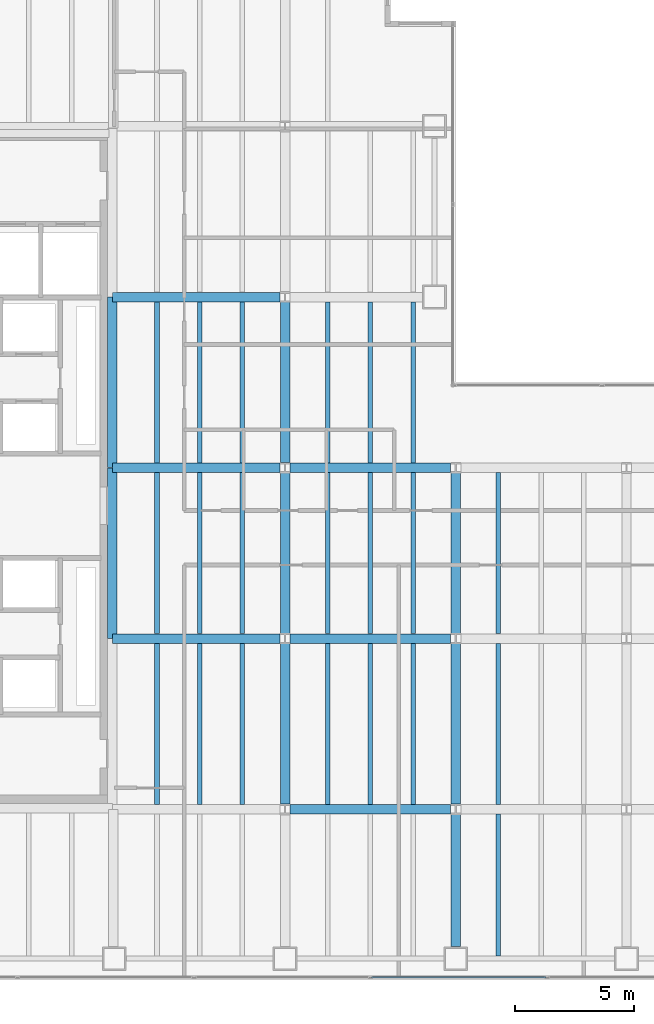
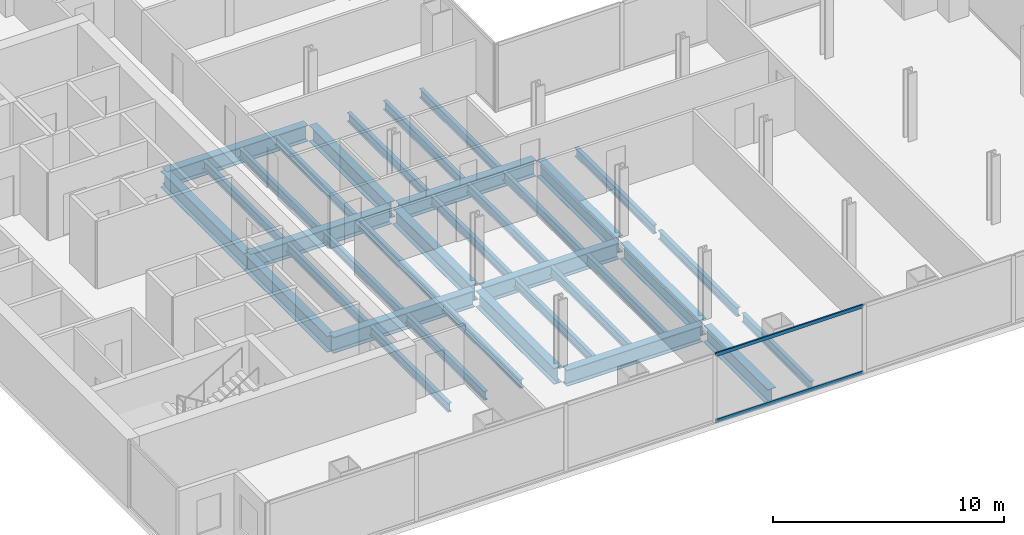
# One storey, part 5 of 23: 35 beams, 2 members, 1 element without a shape of its own.
"""IFC4 building model written with IfcOpenShell, lengths in metres."""

from ifc_helpers import new_model, si_unit, direction, frame, origin, origin_2d, place, context, subcontext, project, spatial, hollow_rectangle, i_section, extrude, material, material_profile, profile_set, type_object, element, aggregate, save


model = new_model("IFC4")

# Units and contexts
model_context = context("Model", 3, precision=1e-05, world=origin(), true_north=direction((0.0, 1.0)))
body_context = subcontext(model_context, "Body", "Model", "MODEL_VIEW")
ifc_project = project(units=[si_unit("LENGTHUNIT", "METRE"), si_unit("AREAUNIT", "SQUARE_METRE"), si_unit("VOLUMEUNIT", "CUBIC_METRE"), si_unit("PLANEANGLEUNIT", "RADIAN"), si_unit("MASSUNIT", "GRAM", prefix="KILO")], contexts=[model_context])

# Site, building, storey
site_placement = place(None, origin())
site = spatial("IfcSite", under=ifc_project, at=site_placement, CompositionType="ELEMENT")
building_placement = place(site_placement, origin())
building = spatial("IfcBuilding", under=site, at=building_placement, Name="Cobrela Telecom Tower", CompositionType="ELEMENT")
storey_placement = place(building_placement, frame((0.0, 0.0, 73.5)))
storey = spatial("IfcBuildingStorey", under=building, at=storey_placement, Name="L18", CompositionType="ELEMENT", Elevation=73.5)

# Beams
ifc_material_1 = material(Name="Steel ASTM A992 Grade 50", Category="steel")
ifc_material_profile_1 = material_profile(ifc_material_1, i_section(OverallWidth=0.39892578125, OverallDepth=0.85595703125, WebThickness=0.018310546875, FlangeThickness=0.029296875, FilletRadius=0.02001953125, at=origin_2d()), Name="W33X201")
ifc_profile_set_1 = profile_set([ifc_material_profile_1], Name="Steel ASTM A992 Grade 50")
beam_type_1 = type_object("IfcBeamType", Name="BM-GIRD-03", PredefinedType="USERDEFINED", material=ifc_profile_set_1)
beam_1_placement = place(storey_placement, frame((21.81591796875, 7.199951171875, -0.7080078125), z_axis=(1.0, 0.0, 0.0), x_axis=(0.0, 1.0, 0.0)))
element("IfcBeam", 1, at=beam_1_placement, inside=storey, type_object=beam_type_1, Name="L18 Primary Girder X09", ObjectType="GIRDER", PredefinedType="USERDEFINED", context=body_context, shape_type="SweptSolid", body=[
    extrude(i_section(OverallWidth=0.39892578125, OverallDepth=0.85595703125, WebThickness=0.018310546875, FlangeThickness=0.029296875, FilletRadius=0.02001953125, at=origin_2d()), origin(), (0.0, 0.0, 1.0), 6.76806640625),
])
beam_2_placement = place(storey_placement, frame((14.324951171875, 14.39990234375, -0.7080078125), z_axis=(1.0, 0.0, 0.0), x_axis=(0.0, 1.0, 0.0)))
element("IfcBeam", 2, at=beam_2_placement, inside=storey, type_object=beam_type_1, Name="L18 Primary Girder X13", ObjectType="GIRDER", PredefinedType="USERDEFINED", context=body_context, shape_type="SweptSolid", body=[
    extrude(i_section(OverallWidth=0.39892578125, OverallDepth=0.85595703125, WebThickness=0.018310546875, FlangeThickness=0.029296875, FilletRadius=0.02001953125, at=origin_2d()), origin(), (0.0, 0.0, 1.0), 7.05908203125),
])
beam_3_placement = place(storey_placement, frame((21.81591796875, 14.39990234375, -0.7080078125), z_axis=(1.0, 0.0, 0.0), x_axis=(0.0, 1.0, 0.0)))
element("IfcBeam", 3, at=beam_3_placement, inside=storey, type_object=beam_type_1, Name="L18 Primary Girder X14", ObjectType="GIRDER", PredefinedType="USERDEFINED", context=body_context, shape_type="SweptSolid", body=[
    extrude(i_section(OverallWidth=0.39892578125, OverallDepth=0.85595703125, WebThickness=0.018310546875, FlangeThickness=0.029296875, FilletRadius=0.02001953125, at=origin_2d()), origin(), (0.0, 0.0, 1.0), 6.76806640625),
])
beam_4_placement = place(storey_placement, frame((14.324951171875, 21.60009765625, -0.7080078125), z_axis=(1.0, 0.0, 0.0), x_axis=(0.0, 1.0, 0.0)))
element("IfcBeam", 4, at=beam_4_placement, inside=storey, type_object=beam_type_1, Name="L18 Primary Girder X18", ObjectType="GIRDER", PredefinedType="USERDEFINED", context=body_context, shape_type="SweptSolid", body=[
    extrude(i_section(OverallWidth=0.39892578125, OverallDepth=0.85595703125, WebThickness=0.018310546875, FlangeThickness=0.029296875, FilletRadius=0.02001953125, at=origin_2d()), origin(), (0.0, 0.0, 1.0), 7.05908203125),
])
beam_5_placement = place(storey_placement, frame((21.81591796875, 21.60009765625, -0.7080078125), z_axis=(1.0, 0.0, 0.0), x_axis=(0.0, 1.0, 0.0)))
element("IfcBeam", 5, at=beam_5_placement, inside=storey, type_object=beam_type_1, Name="L18 Primary Girder X19", ObjectType="GIRDER", PredefinedType="USERDEFINED", context=body_context, shape_type="SweptSolid", body=[
    extrude(i_section(OverallWidth=0.39892578125, OverallDepth=0.85595703125, WebThickness=0.018310546875, FlangeThickness=0.029296875, FilletRadius=0.02001953125, at=origin_2d()), origin(), (0.0, 0.0, 1.0), 6.76806640625),
])
beam_6_placement = place(storey_placement, frame((14.324951171875, 28.800048828125, -0.7080078125), z_axis=(1.0, 0.0, 0.0), x_axis=(0.0, 1.0, 0.0)))
element("IfcBeam", 6, at=beam_6_placement, inside=storey, type_object=beam_type_1, Name="L18 Primary Girder X23", ObjectType="GIRDER", PredefinedType="USERDEFINED", context=body_context, shape_type="SweptSolid", body=[
    extrude(i_section(OverallWidth=0.39892578125, OverallDepth=0.85595703125, WebThickness=0.018310546875, FlangeThickness=0.029296875, FilletRadius=0.02001953125, at=origin_2d()), origin(), (0.0, 0.0, 1.0), 7.05908203125),
])
for number, where, z_axis, x_axis, name in (
    (7, (14.320068359375, 14.405029296875, -0.7080078125), (0.0, 1.0, 0.0), (-1.0, 0.0, 0.0), "L18 Primary Girder Y36"),
    (8, (14.320068359375, 21.60498046875, -0.7080078125), (0.0, 1.0, 0.0), (-1.0, 0.0, 0.0), "L18 Primary Girder Y37"),
):
    element("IfcBeam", number, at=place(storey_placement, frame(where, z_axis=z_axis, x_axis=x_axis)), inside=storey, type_object=beam_type_1, Name=name, ObjectType="GIRDER", PredefinedType="USERDEFINED", context=body_context, shape_type="SweptSolid", body=[
        extrude(i_section(OverallWidth=0.39892578125, OverallDepth=0.85595703125, WebThickness=0.018310546875, FlangeThickness=0.029296875, FilletRadius=0.02001953125, at=origin_2d()), origin(), (0.0, 0.0, 1.0), 7.18994140625),
    ])
for number, where, z_axis, x_axis, name in (
    (9, (21.60009765625, 7.416015625, -0.7080078125), (0.0, 1.0, 0.0), (-1.0, 0.0, 0.0), "L18 Primary Girder Y41"),
    (10, (21.60009765625, 14.615966796875, -0.7080078125), (0.0, 1.0, 0.0), (-1.0, 0.0, 0.0), "L18 Primary Girder Y42"),
    (11, (21.60009765625, 21.81591796875, -0.7080078125), (0.0, 1.0, 0.0), (-1.0, 0.0, 0.0), "L18 Primary Girder Y43"),
):
    element("IfcBeam", number, at=place(storey_placement, frame(where, z_axis=z_axis, x_axis=x_axis)), inside=storey, type_object=beam_type_1, Name=name, ObjectType="GIRDER", PredefinedType="USERDEFINED", context=body_context, shape_type="SweptSolid", body=[
        extrude(i_section(OverallWidth=0.39892578125, OverallDepth=0.85595703125, WebThickness=0.018310546875, FlangeThickness=0.029296875, FilletRadius=0.02001953125, at=origin_2d()), origin(), (0.0, 0.0, 1.0), 6.76806640625),
    ])
beam_7_placement = place(storey_placement, frame((28.800048828125, 1.405029296875, -0.7080078125), z_axis=(0.0, 1.0, 0.0), x_axis=(-1.0, 0.0, 0.0)))
element("IfcBeam", 12, at=beam_7_placement, inside=storey, type_object=beam_type_1, Name="L18 Primary Girder Y47", ObjectType="GIRDER", PredefinedType="USERDEFINED", context=body_context, shape_type="SweptSolid", body=[
    extrude(i_section(OverallWidth=0.39892578125, OverallDepth=0.85595703125, WebThickness=0.018310546875, FlangeThickness=0.029296875, FilletRadius=0.02001953125, at=origin_2d()), origin(), (0.0, 0.0, 1.0), 5.578857421875),
])
for number, where, z_axis, x_axis, name in (
    (13, (28.800048828125, 7.416015625, -0.7080078125), (0.0, 1.0, 0.0), (-1.0, 0.0, 0.0), "L18 Primary Girder Y48"),
    (14, (28.800048828125, 14.615966796875, -0.7080078125), (0.0, 1.0, 0.0), (-1.0, 0.0, 0.0), "L18 Primary Girder Y49"),
):
    element("IfcBeam", number, at=place(storey_placement, frame(where, z_axis=z_axis, x_axis=x_axis)), inside=storey, type_object=beam_type_1, Name=name, ObjectType="GIRDER", PredefinedType="USERDEFINED", context=body_context, shape_type="SweptSolid", body=[
        extrude(i_section(OverallWidth=0.39892578125, OverallDepth=0.85595703125, WebThickness=0.018310546875, FlangeThickness=0.029296875, FilletRadius=0.02001953125, at=origin_2d()), origin(), (0.0, 0.0, 1.0), 6.76806640625),
    ])
ifc_material_profile_2 = material_profile(ifc_material_1, i_section(OverallWidth=0.193115234375, OverallDepth=0.467041015625, WebThickness=0.011474609375, FlangeThickness=0.01904296875, FilletRadius=0.012939453125, at=origin_2d()), Name="W18X65")
ifc_profile_set_2 = profile_set([ifc_material_profile_2], Name="Steel ASTM A992 Grade 50")
beam_type_2 = type_object("IfcBeamType", Name="BM-JOIST-03", PredefinedType="JOIST", material=ifc_profile_set_2)
for number, where, z_axis, x_axis, name in (
    (15, (16.199951171875, 7.404541015625, -0.513427734375), (0.0, 1.0, 0.0), (-1.0, 0.0, 0.0), "L18 Secondary Composite Floor Beam J08"),
    (16, (16.199951171875, 14.6044921875, -0.513427734375), (0.0, 1.0, 0.0), (-1.0, 0.0, 0.0), "L18 Secondary Composite Floor Beam J09"),
    (17, (16.199951171875, 21.804443359375, -0.513427734375), (0.0, 1.0, 0.0), (-1.0, 0.0, 0.0), "L18 Secondary Composite Floor Beam J10"),
    (18, (18.0, 7.404541015625, -0.513427734375), (0.0, 1.0, 0.0), (-1.0, 0.0, 0.0), "L18 Secondary Composite Floor Beam J14"),
    (19, (18.0, 14.6044921875, -0.513427734375), (0.0, 1.0, 0.0), (-1.0, 0.0, 0.0), "L18 Secondary Composite Floor Beam J15"),
    (20, (18.0, 21.804443359375, -0.513427734375), (0.0, 1.0, 0.0), (-1.0, 0.0, 0.0), "L18 Secondary Composite Floor Beam J16"),
    (21, (19.800048828125, 7.404541015625, -0.513427734375), (0.0, 1.0, 0.0), (-1.0, 0.0, 0.0), "L18 Secondary Composite Floor Beam J20"),
    (22, (19.800048828125, 14.6044921875, -0.513427734375), (0.0, 1.0, 0.0), (-1.0, 0.0, 0.0), "L18 Secondary Composite Floor Beam J21"),
    (23, (19.800048828125, 21.804443359375, -0.513427734375), (0.0, 1.0, 0.0), (-1.0, 0.0, 0.0), "L18 Secondary Composite Floor Beam J22"),
    (24, (23.39990234375, 7.404541015625, -0.513427734375), (0.0, 1.0, 0.0), (-1.0, 0.0, 0.0), "L18 Secondary Composite Floor Beam J26"),
    (25, (23.39990234375, 14.6044921875, -0.513427734375), (0.0, 1.0, 0.0), (-1.0, 0.0, 0.0), "L18 Secondary Composite Floor Beam J27"),
    (26, (23.39990234375, 21.804443359375, -0.513427734375), (0.0, 1.0, 0.0), (-1.0, 0.0, 0.0), "L18 Secondary Composite Floor Beam J28"),
    (27, (25.199951171875, 7.404541015625, -0.513427734375), (0.0, 1.0, 0.0), (-1.0, 0.0, 0.0), "L18 Secondary Composite Floor Beam J32"),
    (28, (25.199951171875, 14.6044921875, -0.513427734375), (0.0, 1.0, 0.0), (-1.0, 0.0, 0.0), "L18 Secondary Composite Floor Beam J33"),
    (29, (25.199951171875, 21.804443359375, -0.513427734375), (0.0, 1.0, 0.0), (-1.0, 0.0, 0.0), "L18 Secondary Composite Floor Beam J34"),
    (30, (27.0, 7.404541015625, -0.513427734375), (0.0, 1.0, 0.0), (-1.0, 0.0, 0.0), "L18 Secondary Composite Floor Beam J37"),
    (31, (27.0, 14.6044921875, -0.513427734375), (0.0, 1.0, 0.0), (-1.0, 0.0, 0.0), "L18 Secondary Composite Floor Beam J38"),
    (32, (27.0, 21.804443359375, -0.513427734375), (0.0, 1.0, 0.0), (-1.0, 0.0, 0.0), "L18 Secondary Composite Floor Beam J39"),
):
    element("IfcBeam", number, at=place(storey_placement, frame(where, z_axis=z_axis, x_axis=x_axis)), inside=storey, type_object=beam_type_2, Name=name, PredefinedType="JOIST", context=body_context, shape_type="SweptSolid", body=[
        extrude(i_section(OverallWidth=0.193115234375, OverallDepth=0.467041015625, WebThickness=0.011474609375, FlangeThickness=0.01904296875, FilletRadius=0.012939453125, at=origin_2d()), origin(), (0.0, 0.0, 1.0), 6.791015625),
    ])
beam_8_placement = place(storey_placement, frame((30.60009765625, 1.011474609375, -0.513427734375), z_axis=(0.0, 1.0, 0.0), x_axis=(-1.0, 0.0, 0.0)))
element("IfcBeam", 33, at=beam_8_placement, inside=storey, type_object=beam_type_2, Name="L18 Secondary Composite Floor Beam J41", PredefinedType="JOIST", context=body_context, shape_type="SweptSolid", body=[
    extrude(i_section(OverallWidth=0.193115234375, OverallDepth=0.467041015625, WebThickness=0.011474609375, FlangeThickness=0.01904296875, FilletRadius=0.012939453125, at=origin_2d()), origin(), (0.0, 0.0, 1.0), 5.984130859375),
])
for number, where, z_axis, x_axis, name in (
    (34, (30.60009765625, 7.404541015625, -0.513427734375), (0.0, 1.0, 0.0), (-1.0, 0.0, 0.0), "L18 Secondary Composite Floor Beam J42"),
    (35, (30.60009765625, 14.6044921875, -0.513427734375), (0.0, 1.0, 0.0), (-1.0, 0.0, 0.0), "L18 Secondary Composite Floor Beam J43"),
):
    element("IfcBeam", number, at=place(storey_placement, frame(where, z_axis=z_axis, x_axis=x_axis)), inside=storey, type_object=beam_type_2, Name=name, PredefinedType="JOIST", context=body_context, shape_type="SweptSolid", body=[
        extrude(i_section(OverallWidth=0.193115234375, OverallDepth=0.467041015625, WebThickness=0.011474609375, FlangeThickness=0.01904296875, FilletRadius=0.012939453125, at=origin_2d()), origin(), (0.0, 0.0, 1.0), 6.791015625),
    ])

# Curtain wall, members
ifc_material_2 = material(Name="Anodized Bronze Aluminium 6063-T6", Category="aluminium")
curtain_wall_type = type_object("IfcCurtainWallType", Name="CW-SYS-DATA", PredefinedType="USERDEFINED", material=ifc_material_2)
curtain_wall_placement = place(storey_placement, origin())
curtain_wall = element("IfcCurtainWall", 36, at=curtain_wall_placement, inside=storey, type_object=curtain_wall_type, Name="L18 Unitised Bronze Curtain Wall 17", ObjectType="UNITISED CURTAIN WALL", PredefinedType="USERDEFINED")
ifc_material_profile_3 = material_profile(ifc_material_2, hollow_rectangle(XDim=0.074951171875, YDim=0.179931640625, WallThickness=0.00390625, at=origin_2d()), Name="ALU 75x180x4")
ifc_profile_set_3 = profile_set([ifc_material_profile_3], Name="Anodized Bronze Aluminium 6063-T6")
member_type = type_object("IfcMemberType", Name="CW-SYS-DATA-TRN", PredefinedType="USERDEFINED", material=ifc_profile_set_3)
member_1_placement = place(storey_placement, frame((32.603271484375, 0.1201171875, 0.03759765625), z_axis=(-1.0, 0.0, 0.0), x_axis=(0.0, -1.0, 0.0)))
member_1 = element("IfcMember", 37, at=member_1_placement, type_object=member_type, Name="CW-DATA transom 3.1", ObjectType="TRANSOM", PredefinedType="USERDEFINED", context=body_context, shape_type="SweptSolid", body=[
    extrude(hollow_rectangle(XDim=0.074951171875, YDim=0.179931640625, WallThickness=0.00390625, at=origin_2d()), origin(), (0.0, 0.0, 1.0), 7.36328125),
])
member_2_placement = place(storey_placement, frame((32.603271484375, 0.1201171875, 3.532470703125), z_axis=(-1.0, 0.0, 0.0), x_axis=(0.0, -1.0, 0.0)))
member_2 = element("IfcMember", 38, at=member_2_placement, type_object=member_type, Name="CW-DATA transom 3.2", ObjectType="TRANSOM", PredefinedType="USERDEFINED", context=body_context, shape_type="SweptSolid", body=[
    extrude(hollow_rectangle(XDim=0.074951171875, YDim=0.179931640625, WallThickness=0.00390625, at=origin_2d()), origin(), (0.0, 0.0, 1.0), 7.36328125),
])
aggregate(curtain_wall, [member_1, member_2])

save(model, "model.ifc")
